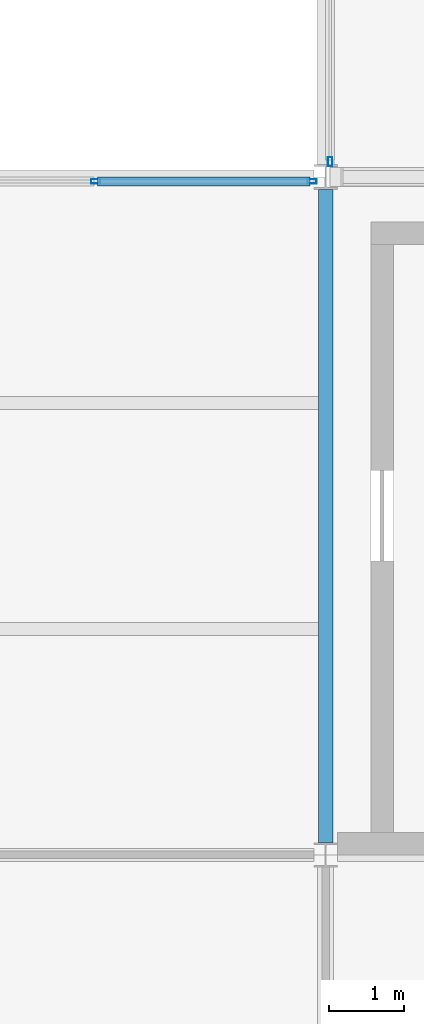
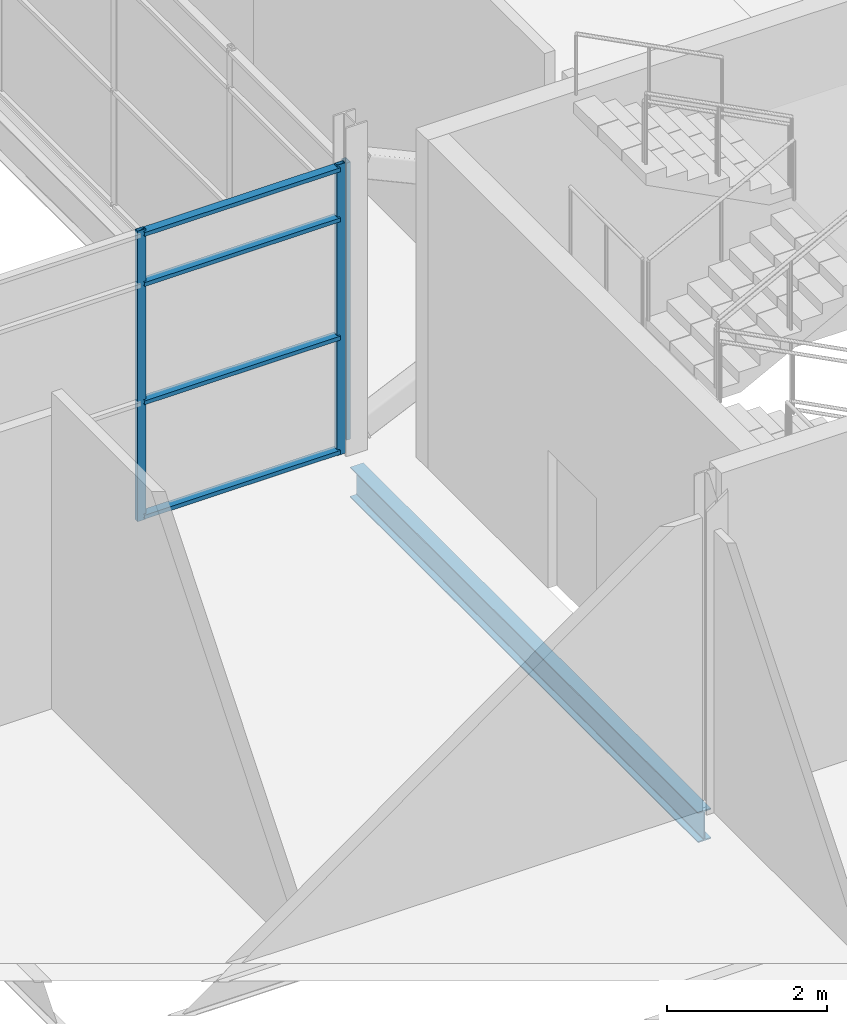
# One storey, part 29 of 112: 7 members, 1 beam, 2 elements without a shape of their own.
"""IFC4 building model written with IfcOpenShell, lengths in metres."""

from ifc_helpers import new_model, si_unit, direction, frame, origin, origin_2d, place, context, subcontext, project, spatial, hollow_rectangle, i_section, extrude, material, layer, layer_set, material_profile, profile_set, type_object, element, aggregate, save


model = new_model("IFC4")

# Units and contexts
model_context = context("Model", 3, precision=1e-05, world=origin(), true_north=direction((0.0, 1.0)))
body_context = subcontext(model_context, "Body", "Model", "MODEL_VIEW")
ifc_project = project(units=[si_unit("LENGTHUNIT", "METRE"), si_unit("AREAUNIT", "SQUARE_METRE"), si_unit("VOLUMEUNIT", "CUBIC_METRE"), si_unit("PLANEANGLEUNIT", "RADIAN"), si_unit("MASSUNIT", "GRAM", prefix="KILO")], contexts=[model_context])

# Site, building, storey
site_placement = place(None, origin())
site = spatial("IfcSite", under=ifc_project, at=site_placement, CompositionType="ELEMENT")
building_placement = place(site_placement, origin())
building = spatial("IfcBuilding", under=site, at=building_placement, Name="Shorebreak Coast Museum", CompositionType="ELEMENT")
storey_placement = place(building_placement, frame((0.0, 0.0, 6.0)))
storey = spatial("IfcBuildingStorey", under=building, at=storey_placement, Name="L01", CompositionType="ELEMENT", Elevation=6.0)

# Beam
ifc_material_1 = material(Name="Steel Grade 300", Category="steel")
ifc_material_profile_1 = material_profile(ifc_material_1, i_section(OverallWidth=0.19091796875, OverallDepth=0.46044921875, WebThickness=0.010009765625, FlangeThickness=0.01611328125, FilletRadius=0.011474609375, at=origin_2d()), Name="460UB82.1")
ifc_profile_set_1 = profile_set([ifc_material_profile_1], Name="Steel Grade 300")
beam_type = type_object("IfcBeamType", Name="Floor girder north-south 460UB82.1", PredefinedType="BEAM", material=ifc_profile_set_1)
beam_placement = place(storey_placement, frame((108.0, 54.160400390625, -0.4052734375), z_axis=(0.0, 1.0, 0.0), x_axis=(-1.0, 0.0, 0.0)))
element("IfcBeam", 1, at=beam_placement, inside=storey, type_object=beam_type, Name="Floor girder north-south L01 13G", PredefinedType="BEAM", context=body_context, shape_type="SweptSolid", body=[
    extrude(i_section(OverallWidth=0.19091796875, OverallDepth=0.46044921875, WebThickness=0.010009765625, FlangeThickness=0.01611328125, FilletRadius=0.011474609375, at=origin_2d()), origin(), (0.0, 0.0, 1.0), 8.676025390625),
])

# Curtain wall, members
ifc_material_2 = material(Name="Aluminium", Category="aluminium")
ifc_layer = layer(ifc_material_2, 0.1201171875)
ifc_layer_set = layer_set([ifc_layer], Name="Aluminium")
curtain_wall_type = type_object("IfcCurtainWallType", Name="Atrium fire screen", PredefinedType="NOTDEFINED", material=ifc_layer_set)
curtain_wall_1_placement = place(storey_placement, origin())
curtain_wall_1 = element("IfcCurtainWall", 2, at=curtain_wall_1_placement, inside=storey, type_object=curtain_wall_type, Name="Atrium screen L01 S 6", PredefinedType="NOTDEFINED")
ifc_material_3 = material(Name="Aluminium", Category="aluminium")
ifc_material_profile_2 = material_profile(ifc_material_3, hollow_rectangle(XDim=0.06005859375, YDim=0.1201171875, WallThickness=0.00341796875, at=origin_2d()), Name="AL 120x60 RHS")
ifc_profile_set_2 = profile_set([ifc_material_profile_2], Name="Aluminium")
member_type_1 = type_object("IfcMemberType", Name="Screen mullion 50 x 120", PredefinedType="MULLION", material=ifc_profile_set_2)
member_1_placement = place(storey_placement, frame((104.9482421875, 62.93994140625, 0.0), z_axis=(0.0, 0.0, 1.0), x_axis=(0.0, 1.0, 0.0)))
member_1 = element("IfcMember", 3, at=member_1_placement, type_object=member_type_1, Name="CW4 mullion 3", PredefinedType="MULLION", context=body_context, shape_type="SweptSolid", body=[
    extrude(hollow_rectangle(XDim=0.06005859375, YDim=0.1201171875, WallThickness=0.00341796875, at=origin_2d()), origin(), (0.0, 0.0, 1.0), 4.42236328125),
])
member_2_placement = place(storey_placement, frame((107.819580078125, 62.93994140625, 0.0), z_axis=(0.0, 0.0, 1.0), x_axis=(0.0, 1.0, 0.0)))
member_2 = element("IfcMember", 4, at=member_2_placement, type_object=member_type_1, Name="CW4 mullion 4", PredefinedType="MULLION", context=body_context, shape_type="SweptSolid", body=[
    extrude(hollow_rectangle(XDim=0.06005859375, YDim=0.1201171875, WallThickness=0.00341796875, at=origin_2d()), origin(), (0.0, 0.0, 1.0), 4.42236328125),
])

# Curtain wall, member
curtain_wall_2_placement = place(storey_placement, origin())
curtain_wall_2 = element("IfcCurtainWall", 5, at=curtain_wall_2_placement, inside=storey, type_object=curtain_wall_type, Name="Atrium screen L01 E 14", PredefinedType="NOTDEFINED")
member_3_placement = place(storey_placement, frame((108.06005859375, 63.20263671875, 0.0), z_axis=(0.0, 0.0, 1.0), x_axis=(-1.0, 0.0, 0.0)))
member_3 = element("IfcMember", 6, at=member_3_placement, type_object=member_type_1, Name="CW6 mullion 1", PredefinedType="MULLION", context=body_context, shape_type="SweptSolid", body=[
    extrude(hollow_rectangle(XDim=0.06005859375, YDim=0.1201171875, WallThickness=0.00341796875, at=origin_2d()), origin(), (0.0, 0.0, 1.0), 4.218017578125),
])
aggregate(curtain_wall_2, [member_3])

# Member
ifc_material_4 = material(Name="Aluminium", Category="aluminium")
ifc_material_profile_3 = material_profile(ifc_material_4, hollow_rectangle(XDim=0.1201171875, YDim=0.06005859375, WallThickness=0.00341796875, at=origin_2d()), Name="AL 60x120 RHS")
ifc_profile_set_3 = profile_set([ifc_material_profile_3], Name="Aluminium")
member_type_2 = type_object("IfcMemberType", Name="Screen transom 120 x 50", PredefinedType="USERDEFINED", material=ifc_profile_set_3)
member_4_placement = place(storey_placement, frame((104.97314453125, 62.93994140625, 0.06005859375), z_axis=(1.0, 0.0, 0.0), x_axis=(0.0, 1.0, 0.0)))
member_4 = element("IfcMember", 7, at=member_4_placement, type_object=member_type_2, Name="CW4 transom 3.1", ObjectType="TRANSOM", PredefinedType="USERDEFINED", context=body_context, shape_type="SweptSolid", body=[
    extrude(hollow_rectangle(XDim=0.1201171875, YDim=0.06005859375, WallThickness=0.00341796875, at=origin_2d()), origin(), (0.0, 0.0, 1.0), 2.8212890625),
])

member_5_placement = place(storey_placement, frame((104.97314453125, 62.93994140625, 1.800048828125), z_axis=(1.0, 0.0, 0.0), x_axis=(0.0, 1.0, 0.0)))
member_5 = element("IfcMember", 8, at=member_5_placement, type_object=member_type_2, Name="CW4 transom 3.2", ObjectType="TRANSOM", PredefinedType="USERDEFINED", context=body_context, shape_type="SweptSolid", body=[
    extrude(hollow_rectangle(XDim=0.1201171875, YDim=0.06005859375, WallThickness=0.00341796875, at=origin_2d()), origin(), (0.0, 0.0, 1.0), 2.8212890625),
])

member_6_placement = place(storey_placement, frame((104.97314453125, 62.93994140625, 3.60009765625), z_axis=(1.0, 0.0, 0.0), x_axis=(0.0, 1.0, 0.0)))
member_6 = element("IfcMember", 9, at=member_6_placement, type_object=member_type_2, Name="CW4 transom 3.3", ObjectType="TRANSOM", PredefinedType="USERDEFINED", context=body_context, shape_type="SweptSolid", body=[
    extrude(hollow_rectangle(XDim=0.1201171875, YDim=0.06005859375, WallThickness=0.00341796875, at=origin_2d()), origin(), (0.0, 0.0, 1.0), 2.8212890625),
])

member_7_placement = place(storey_placement, frame((104.97314453125, 62.93994140625, 4.3623046875), z_axis=(1.0, 0.0, 0.0), x_axis=(0.0, 1.0, 0.0)))
member_7 = element("IfcMember", 10, at=member_7_placement, type_object=member_type_2, Name="CW4 transom 3.4", ObjectType="TRANSOM", PredefinedType="USERDEFINED", context=body_context, shape_type="SweptSolid", body=[
    extrude(hollow_rectangle(XDim=0.1201171875, YDim=0.06005859375, WallThickness=0.00341796875, at=origin_2d()), origin(), (0.0, 0.0, 1.0), 2.8212890625),
])

aggregate(curtain_wall_1, [member_1, member_2, member_4, member_5, member_6, member_7])

save(model, "model.ifc")
